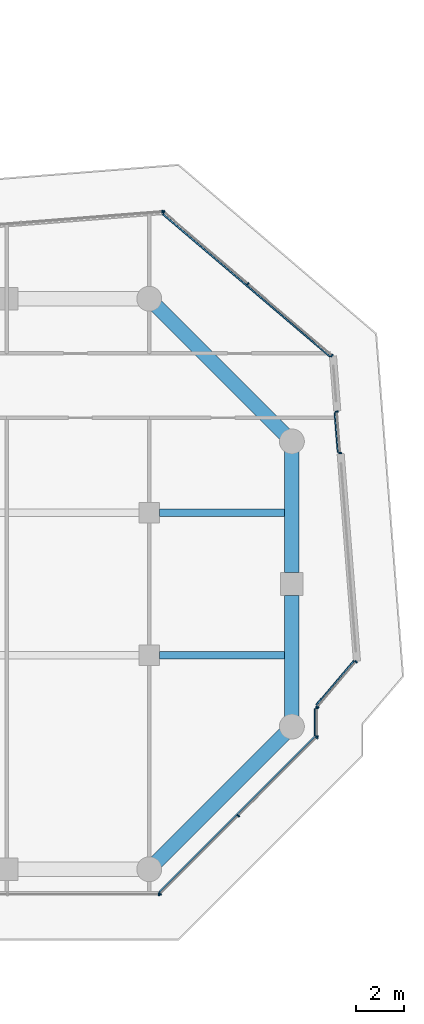
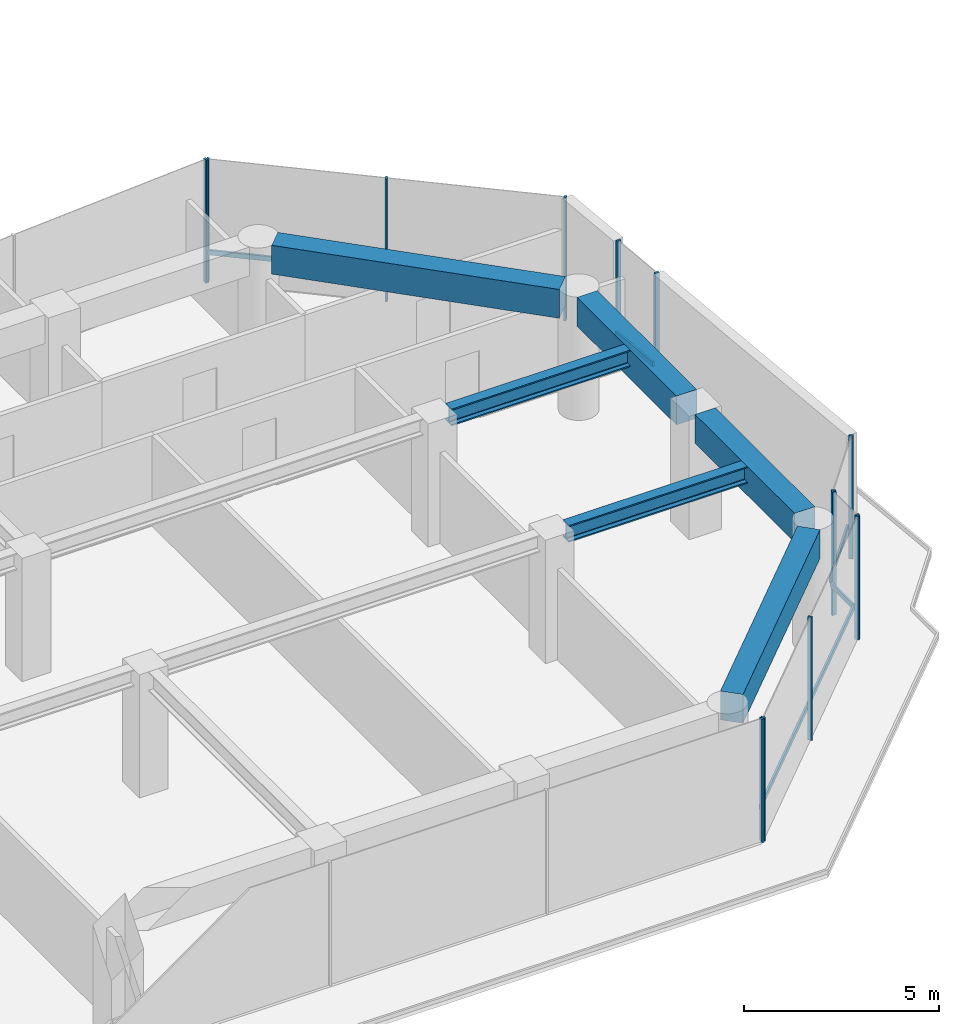
# One storey, part 19 of 28: 19 members, 6 beams, 7 elements without a shape of their own.
"""IFC4 building model written with IfcOpenShell, lengths in metres."""

import ifcopenshell
import ifcopenshell.guid

model = None  # the IFC model being written
_history = None  # IfcOwnerHistory: only IFC2X3 demands one
_inside = {}  # id of a spatial element -> (the spatial element, [elements in it])
_under = {}  # id of a project, library or spatial element -> (it, [spatial elements below it])
_declared = {}  # id of a project -> (the project, [libraries it declares])
_typed = {}  # id of a type object -> (the type object, [elements of that type])
_made_of = {}  # id of a material, layer set ... -> (it, [elements and type objects made of it])


def new_model(schema):
    """Start an empty IFC model of exactly this schema.

    Asked for "IFC4X3", IfcOpenShell would pick the latest addendum, in which some entities
    have other attributes; the version numbers below select the first issue.
    IFC2X3 requires an IfcOwnerHistory on every rooted entity: one is made here for all.
    """
    global model, _history
    if schema == "IFC4X3":
        model = ifcopenshell.file(schema_version=(4, 3, 0, 0))
    else:
        model = ifcopenshell.file(schema=schema)
    _inside.clear()
    _under.clear()
    _declared.clear()
    _typed.clear()
    _made_of.clear()
    _history = None
    if model.schema == "IFC2X3":
        org = make("IfcOrganization", Name="unknown")
        user = make(
            "IfcPersonAndOrganization",
            ThePerson=make("IfcPerson", FamilyName="unknown"),
            TheOrganization=org,
        )
        app = make(
            "IfcApplication",
            ApplicationDeveloper=org,
            Version="unknown",
            ApplicationFullName="unknown",
            ApplicationIdentifier="unknown",
        )
        _history = make(
            "IfcOwnerHistory",
            OwningUser=user,
            OwningApplication=app,
            ChangeAction="ADDED",
            CreationDate=0,
        )
    return model


def make(cls, **values):
    """One entity of the class cls with the attributes given. An attribute that is None is left unset."""
    return model.create_entity(
        cls, **{name: value for name, value in values.items() if value is not None}
    )


def rooted(cls, **values):
    """An entity with a GlobalId (a new one), such as an element, a storey or a relation."""
    return make(cls, GlobalId=ifcopenshell.guid.new(), OwnerHistory=_history, **values)


def si_unit(unit_type, name, prefix=None):
    """IfcSIUnit, for example si_unit("LENGTHUNIT", "METRE", prefix="MILLI")."""
    return make("IfcSIUnit", UnitType=unit_type, Prefix=prefix, Name=name)


def assignment(units):
    """IfcUnitAssignment: the units of a project."""
    return None if units is None else make("IfcUnitAssignment", Units=units)


def point(xyz):
    """IfcCartesianPoint."""
    return None if xyz is None else make("IfcCartesianPoint", Coordinates=xyz)


def direction(xyz):
    """IfcDirection."""
    return None if xyz is None else make("IfcDirection", DirectionRatios=xyz)


def frame(location, z_axis=None, x_axis=None):
    """IfcAxis2Placement3D, a coordinate frame: its origin and axes. An axis left out is left unset."""
    return make(
        "IfcAxis2Placement3D",
        Location=point(location),
        Axis=direction(z_axis),
        RefDirection=direction(x_axis),
    )


def frame_2d(location, x_axis=None):
    """IfcAxis2Placement2D, a coordinate frame in the plane: its origin and x axis."""
    return make(
        "IfcAxis2Placement2D", Location=point(location), RefDirection=direction(x_axis)
    )


def origin():
    """The frame at (0, 0, 0) with its axes left unset."""
    return frame((0.0, 0.0, 0.0))


def origin_2d():
    """The frame at (0, 0) in the plane with its x axis left unset."""
    return frame_2d((0.0, 0.0))


def place(relative_to, where):
    """IfcLocalPlacement: puts the frame where relative to a parent placement (None: the world)."""
    return make(
        "IfcLocalPlacement", PlacementRelTo=relative_to, RelativePlacement=where
    )


def context(
    kind, dimensions, precision=None, world=None, true_north=None, identifier=None
):
    """IfcGeometricRepresentationContext, for example the 3D "Model" context."""
    return make(
        "IfcGeometricRepresentationContext",
        ContextIdentifier=identifier,
        ContextType=kind,
        CoordinateSpaceDimension=dimensions,
        Precision=precision,
        WorldCoordinateSystem=world,
        TrueNorth=true_north,
    )


def subcontext(parent, identifier, kind, view, scale=None):
    """IfcGeometricRepresentationSubContext, for example "Body" below "Model"."""
    return make(
        "IfcGeometricRepresentationSubContext",
        ContextIdentifier=identifier,
        ContextType=kind,
        ParentContext=parent,
        TargetScale=scale,
        TargetView=view,
    )


def project(units=None, contexts=None):
    """IfcProject with its units and contexts."""
    return rooted(
        "IfcProject",
        Name="project",
        RepresentationContexts=contexts,
        UnitsInContext=assignment(units),
    )


def spatial(cls, under=None, at=None, **own):
    """A site, building, storey or space (cls), placed at a placement, below another one or the project."""
    s = rooted(cls, ObjectPlacement=at, **own)
    if under is not None:
        _under.setdefault(under.id(), (under, []))[1].append(s)
    return s


def profile(cls, at=None, kind="AREA", **sizes):
    """A parametric profile (cls). Its sizes go by their IFC names, for example OverallWidth=200.0."""
    return make(cls, ProfileType=kind, Position=at, **sizes)


def rectangle(**sizes):
    """IfcRectangleProfileDef."""
    return profile("IfcRectangleProfileDef", **sizes)


def i_section(**sizes):
    """IfcIShapeProfileDef."""
    return profile("IfcIShapeProfileDef", **sizes)


def extrude(swept, where, along, depth):
    """IfcExtrudedAreaSolid: the profile swept, set in the frame where, extruded along a direction by depth."""
    return make(
        "IfcExtrudedAreaSolid",
        SweptArea=swept,
        Position=where,
        ExtrudedDirection=direction(along),
        Depth=depth,
    )


def shape(context_of_items, identifier, shape_type, items):
    """IfcShapeRepresentation: the items that make up one representation, for example the "Body"."""
    return make(
        "IfcShapeRepresentation",
        ContextOfItems=context_of_items,
        RepresentationIdentifier=identifier,
        RepresentationType=shape_type,
        Items=items,
    )


def material(Name=None, Category=None):
    """IfcMaterial."""
    return make("IfcMaterial", Name=Name, Category=Category)


def layer(
    of_material, thickness, ventilated=None, Name=None, Category=None, Priority=None
):
    """IfcMaterialLayer: one layer of a wall or slab, of a material (None: an air gap)."""
    return make(
        "IfcMaterialLayer",
        Material=of_material,
        LayerThickness=thickness,
        IsVentilated=ventilated,
        Name=Name,
        Category=Category,
        Priority=Priority,
    )


def layer_set(layers, Name=None):
    """IfcMaterialLayerSet."""
    return make("IfcMaterialLayerSet", MaterialLayers=layers, LayerSetName=Name)


def material_profile(
    of_material, cross_section, Name=None, Category=None, Priority=None
):
    """IfcMaterialProfile: a cross section and its material."""
    return make(
        "IfcMaterialProfile",
        Name=Name,
        Material=of_material,
        Profile=cross_section,
        Priority=Priority,
        Category=Category,
    )


def profile_set(profiles, Name=None, composite=None):
    """IfcMaterialProfileSet."""
    return make(
        "IfcMaterialProfileSet",
        Name=Name,
        MaterialProfiles=profiles,
        CompositeProfile=composite,
    )


def made_of(thing, what):
    """Note that an element or type object is made of a material, layer set ...; save() writes the relation."""
    if what is not None:
        _made_of.setdefault(what.id(), (what, []))[1].append(thing)
    return thing


def type_object(cls, material=None, **own):
    """A type object (cls), such as IfcWallType, which elements share."""
    return made_of(rooted(cls, **own), material)


def element(
    cls,
    number,
    at=None,
    inside=None,
    cuts=None,
    type_object=None,
    material=None,
    context=None,
    identifier="Body",
    shape_type=None,
    held_by="IfcProductDefinitionShape",
    body=None,
    shapes=None,
    **own,
):
    """One element of the class cls, such as IfcWall. Its Tag is "e" and its number.

    at: its placement. inside: the storey or other place that contains it. cuts: it is an
    opening in that element (IfcRelVoidsElement). A single representation is given by context,
    identifier, shape_type and body (its items); several are given by shapes. held_by: the class
    of the entity that holds the representations. save() writes the other relations.
    """
    e = rooted(cls, Tag="e%d" % number, ObjectPlacement=at, **own)
    if body is not None:
        shapes = [shape(context, identifier, shape_type, body)]
    if shapes is not None:
        e.Representation = make(held_by, Representations=shapes)
    if inside is not None:
        _inside.setdefault(inside.id(), (inside, []))[1].append(e)
    if cuts is not None:
        rooted(
            "IfcRelVoidsElement", RelatingBuildingElement=cuts, RelatedOpeningElement=e
        )
    if type_object is not None:
        _typed.setdefault(type_object.id(), (type_object, []))[1].append(e)
    return made_of(e, material)


def aggregate(whole, parts):
    """IfcRelAggregates: a whole, such as a stair, and the parts it consists of."""
    return rooted("IfcRelAggregates", RelatingObject=whole, RelatedObjects=parts)


def save(model, path):
    """Write the relations noted so far, then the file.

    IfcRelAggregates (storeys below a building ...), IfcRelContainedInSpatialStructure (elements
    in a storey), IfcRelDefinesByType, IfcRelAssociatesMaterial and IfcRelDeclares: one each for
    every whole, place, type object, material and project.
    """
    for whole, parts in _under.values():
        aggregate(whole, parts)
    for where, things in _inside.values():
        rooted(
            "IfcRelContainedInSpatialStructure",
            RelatedElements=things,
            RelatingStructure=where,
        )
    for kind, things in _typed.values():
        rooted("IfcRelDefinesByType", RelatedObjects=things, RelatingType=kind)
    for what, things in _made_of.values():
        rooted("IfcRelAssociatesMaterial", RelatedObjects=things, RelatingMaterial=what)
    for by, libraries in _declared.values():
        rooted("IfcRelDeclares", RelatingContext=by, RelatedDefinitions=libraries)
    model.write(path)


model = new_model("IFC4")

# Units and contexts
model_context = context("Model", 3, precision=1e-05, world=origin(), true_north=direction((0.0, 1.0)))
body_context = subcontext(model_context, "Body", "Model", "MODEL_VIEW")
ifc_project = project(units=[si_unit("LENGTHUNIT", "METRE"), si_unit("AREAUNIT", "SQUARE_METRE"), si_unit("VOLUMEUNIT", "CUBIC_METRE"), si_unit("PLANEANGLEUNIT", "RADIAN"), si_unit("MASSUNIT", "GRAM", prefix="KILO")], contexts=[model_context])

# Site, building, storey
site_placement = place(None, origin())
site = spatial("IfcSite", under=ifc_project, at=site_placement, CompositionType="ELEMENT")
building_placement = place(site_placement, origin())
building = spatial("IfcBuilding", under=site, at=building_placement, Name="Welwitschia Terrace Campus", CompositionType="ELEMENT")
storey_placement = place(building_placement, frame((0.0, 0.0, 71.0)))
storey = spatial("IfcBuildingStorey", under=building, at=storey_placement, Name="L16", CompositionType="ELEMENT", Elevation=71.0)

# Beams
ifc_material_1 = material(Name="Steel S355", Category="steel")
ifc_material_profile_1 = material_profile(ifc_material_1, i_section(OverallWidth=0.305908203125, OverallDepth=0.52392578125, WebThickness=0.02099609375, FlangeThickness=0.0400390625, FilletRadius=0.027099609375, at=origin_2d()))
ifc_profile_set_1 = profile_set([ifc_material_profile_1], Name="Steel S355")
beam_type_1 = type_object("IfcBeamType", Name="Interior girder HE 500 M", PredefinedType="BEAM", material=ifc_profile_set_1)
for number, where, z_axis, x_axis, name in (
    (1, (60.425537109375, 5.0, 3.587890625), (1.0, 0.0, 0.0), (0.0, 1.0, 0.0), "Girder GB2"),
    (2, (60.425537109375, 11.0, 3.587890625), (1.0, 0.0, 0.0), (0.0, 1.0, 0.0), "Girder GB2"),
):
    element("IfcBeam", number, at=place(storey_placement, frame(where, z_axis=z_axis, x_axis=x_axis)), inside=storey, type_object=beam_type_1, Name=name, PredefinedType="BEAM", context=body_context, shape_type="SweptSolid", body=[
        extrude(i_section(OverallWidth=0.305908203125, OverallDepth=0.52392578125, WebThickness=0.02099609375, FlangeThickness=0.0400390625, FilletRadius=0.027099609375, at=origin_2d()), origin(), (0.0, 0.0, 1.0), 5.58447265625),
    ])

# Curtain wall, member
ifc_material_2 = material(Name="Bronze anodised aluminium", Category="aluminium")
ifc_layer = layer(ifc_material_2, 0.1201171875)
ifc_layer_set = layer_set([ifc_layer], Name="Bronze anodised aluminium")
curtain_wall_type = type_object("IfcCurtainWallType", Name="Curtain wall CW2 tower 6000", PredefinedType="NOTDEFINED", material=ifc_layer_set)
curtain_wall_1_placement = place(storey_placement, origin())
curtain_wall_1 = element("IfcCurtainWall", 3, at=curtain_wall_1_placement, inside=storey, type_object=curtain_wall_type, Name="CW L16.5.0", PredefinedType="NOTDEFINED")
ifc_material_3 = material(Name="Bronze anodised aluminium", Category="aluminium")
ifc_material_profile_2 = material_profile(ifc_material_3, rectangle(XDim=0.1201171875, YDim=0.06005859375, at=origin_2d()))
ifc_profile_set_2 = profile_set([ifc_material_profile_2], Name="Bronze anodised aluminium")
member_type_1 = type_object("IfcMemberType", Name="Mullion 60x120", PredefinedType="MULLION", material=ifc_profile_set_2)
member_1_placement = place(storey_placement, frame((60.408203125, -5.05810546875, 0.0), z_axis=(0.0, 0.0, 1.0), x_axis=(0.0, 1.0, 0.0)))
member_1 = element("IfcMember", 4, at=member_1_placement, type_object=member_type_1, Name="Mullion L16.5.0.5", PredefinedType="MULLION", context=body_context, shape_type="SweptSolid", body=[
    extrude(rectangle(XDim=0.1201171875, YDim=0.06005859375, at=origin_2d()), origin(), (0.0, 0.0, 1.0), 3.85009765625),
])
aggregate(curtain_wall_1, [member_1])

# Curtain wall, members
curtain_wall_2_placement = place(storey_placement, origin())
curtain_wall_2 = element("IfcCurtainWall", 5, at=curtain_wall_2_placement, inside=storey, type_object=curtain_wall_type, Name="CW L16.6.0", PredefinedType="NOTDEFINED")
member_2_placement = place(storey_placement, frame((60.45947265625, -5.036865234375, 0.0), z_axis=(0.0, 0.0, 1.0), x_axis=(-0.707106781187, 0.707106781187, 0.0)))
member_2 = element("IfcMember", 6, at=member_2_placement, type_object=member_type_1, Name="Mullion L16.6.0.0", PredefinedType="MULLION", context=body_context, shape_type="SweptSolid", body=[
    extrude(rectangle(XDim=0.1201171875, YDim=0.06005859375, at=origin_2d()), origin(), (0.0, 0.0, 1.0), 3.85009765625),
])
member_3_placement = place(storey_placement, frame((63.748046875, -1.748046875, 0.0), z_axis=(0.0, 0.0, 1.0), x_axis=(-0.707106781187, 0.707106781187, 0.0)))
member_3 = element("IfcMember", 7, at=member_3_placement, type_object=member_type_1, Name="Mullion L16.6.0.1", PredefinedType="MULLION", context=body_context, shape_type="SweptSolid", body=[
    extrude(rectangle(XDim=0.1201171875, YDim=0.06005859375, at=origin_2d()), origin(), (0.0, 0.0, 1.0), 3.85009765625),
])
member_4_placement = place(storey_placement, frame((67.036865234375, 1.54052734375, 0.0), z_axis=(0.0, 0.0, 1.0), x_axis=(-0.707106781187, 0.707106781187, 0.0)))
member_4 = element("IfcMember", 8, at=member_4_placement, type_object=member_type_1, Name="Mullion L16.6.0.2", PredefinedType="MULLION", context=body_context, shape_type="SweptSolid", body=[
    extrude(rectangle(XDim=0.1201171875, YDim=0.06005859375, at=origin_2d()), origin(), (0.0, 0.0, 1.0), 3.85009765625),
])

curtain_wall_3_placement = place(storey_placement, origin())
curtain_wall_3 = element("IfcCurtainWall", 9, at=curtain_wall_3_placement, inside=storey, type_object=curtain_wall_type, Name="CW L16.7.0", PredefinedType="NOTDEFINED")
member_5_placement = place(storey_placement, frame((67.05810546875, 1.591796875, 0.0), z_axis=(0.0, 0.0, 1.0), x_axis=(-1.0, 0.0, 0.0)))
member_5 = element("IfcMember", 10, at=member_5_placement, type_object=member_type_1, Name="Mullion L16.7.0.0", PredefinedType="MULLION", context=body_context, shape_type="SweptSolid", body=[
    extrude(rectangle(XDim=0.1201171875, YDim=0.06005859375, at=origin_2d()), origin(), (0.0, 0.0, 1.0), 3.85009765625),
])
member_6_placement = place(storey_placement, frame((67.05810546875, 2.77978515625, 0.0), z_axis=(0.0, 0.0, 1.0), x_axis=(-1.0, 0.0, 0.0)))
member_6 = element("IfcMember", 11, at=member_6_placement, type_object=member_type_1, Name="Mullion L16.7.0.1", PredefinedType="MULLION", context=body_context, shape_type="SweptSolid", body=[
    extrude(rectangle(XDim=0.1201171875, YDim=0.06005859375, at=origin_2d()), origin(), (0.0, 0.0, 1.0), 3.85009765625),
])

curtain_wall_4_placement = place(storey_placement, origin())
curtain_wall_4 = element("IfcCurtainWall", 12, at=curtain_wall_4_placement, inside=storey, type_object=curtain_wall_type, Name="CW L16.8.0", PredefinedType="NOTDEFINED")
member_7_placement = place(storey_placement, frame((67.077392578125, 2.83251953125, 0.0), z_axis=(0.0, 0.0, 1.0), x_axis=(-0.7604059656, 0.64944804833, 0.0)))
member_7 = element("IfcMember", 13, at=member_7_placement, type_object=member_type_1, Name="Mullion L16.8.0.0", PredefinedType="MULLION", context=body_context, shape_type="SweptSolid", body=[
    extrude(rectangle(XDim=0.1201171875, YDim=0.06005859375, at=origin_2d()), origin(), (0.0, 0.0, 1.0), 3.85009765625),
])
member_8_placement = place(storey_placement, frame((68.69873046875, 4.73095703125, 0.0), z_axis=(0.0, 0.0, 1.0), x_axis=(-0.7604059656, 0.64944804833, 0.0)))
member_8 = element("IfcMember", 14, at=member_8_placement, type_object=member_type_1, Name="Mullion L16.8.0.1", PredefinedType="MULLION", context=body_context, shape_type="SweptSolid", body=[
    extrude(rectangle(XDim=0.1201171875, YDim=0.06005859375, at=origin_2d()), origin(), (0.0, 0.0, 1.0), 3.85009765625),
])

curtain_wall_5_placement = place(storey_placement, origin())
curtain_wall_5 = element("IfcCurtainWall", 15, at=curtain_wall_5_placement, inside=storey, type_object=curtain_wall_type, Name="CW L16.9.S0", PredefinedType="NOTDEFINED")
member_9_placement = place(storey_placement, frame((68.02880859375, 13.513916015625, 0.0), z_axis=(0.0, 0.0, 1.0), x_axis=(-0.996917333733, -0.078459095728, 0.0)))
member_9 = element("IfcMember", 16, at=member_9_placement, type_object=member_type_1, Name="Mullion L16.9.S0.0", PredefinedType="MULLION", context=body_context, shape_type="SweptSolid", body=[
    extrude(rectangle(XDim=0.1201171875, YDim=0.06005859375, at=origin_2d()), origin(), (0.0, 0.0, 1.0), 3.85009765625),
])
member_10_placement = place(storey_placement, frame((67.892333984375, 15.24853515625, 0.0), z_axis=(0.0, 0.0, 1.0), x_axis=(-0.996917333733, -0.078459095728, 0.0)))
member_10 = element("IfcMember", 17, at=member_10_placement, type_object=member_type_1, Name="Mullion L16.9.S0.1", PredefinedType="MULLION", context=body_context, shape_type="SweptSolid", body=[
    extrude(rectangle(XDim=0.1201171875, YDim=0.06005859375, at=origin_2d()), origin(), (0.0, 0.0, 1.0), 3.85009765625),
])

curtain_wall_6_placement = place(storey_placement, origin())
curtain_wall_6 = element("IfcCurtainWall", 18, at=curtain_wall_6_placement, inside=storey, type_object=curtain_wall_type, Name="CW L16.10.0", PredefinedType="NOTDEFINED")
member_11_placement = place(storey_placement, frame((67.68505859375, 17.60986328125, 0.0), z_axis=(0.0, 0.0, 1.0), x_axis=(-0.64944804833, -0.7604059656, 0.0)))
member_11 = element("IfcMember", 19, at=member_11_placement, type_object=member_type_1, Name="Mullion L16.10.0.0", PredefinedType="MULLION", context=body_context, shape_type="SweptSolid", body=[
    extrude(rectangle(XDim=0.1201171875, YDim=0.06005859375, at=origin_2d()), origin(), (0.0, 0.0, 1.0), 3.85009765625),
])
member_12_placement = place(storey_placement, frame((64.1484375, 20.63037109375, 0.0), z_axis=(0.0, 0.0, 1.0), x_axis=(-0.64944804833, -0.7604059656, 0.0)))
member_12 = element("IfcMember", 20, at=member_12_placement, type_object=member_type_1, Name="Mullion L16.10.0.1", PredefinedType="MULLION", context=body_context, shape_type="SweptSolid", body=[
    extrude(rectangle(XDim=0.1201171875, YDim=0.06005859375, at=origin_2d()), origin(), (0.0, 0.0, 1.0), 3.85009765625),
])
member_13_placement = place(storey_placement, frame((60.612060546875, 23.65087890625, 0.0), z_axis=(0.0, 0.0, 1.0), x_axis=(-0.64944804833, -0.7604059656, 0.0)))
member_13 = element("IfcMember", 21, at=member_13_placement, type_object=member_type_1, Name="Mullion L16.10.0.2", PredefinedType="MULLION", context=body_context, shape_type="SweptSolid", body=[
    extrude(rectangle(XDim=0.1201171875, YDim=0.06005859375, at=origin_2d()), origin(), (0.0, 0.0, 1.0), 3.85009765625),
])

# Curtain wall, member
curtain_wall_7_placement = place(storey_placement, origin())
curtain_wall_7 = element("IfcCurtainWall", 22, at=curtain_wall_7_placement, inside=storey, type_object=curtain_wall_type, Name="CW L16.11.0", PredefinedType="NOTDEFINED")
member_14_placement = place(storey_placement, frame((60.559326171875, 23.66796875, 0.0), z_axis=(0.0, 0.0, 1.0), x_axis=(0.078459095728, -0.996917333733, 0.0)))
member_14 = element("IfcMember", 23, at=member_14_placement, type_object=member_type_1, Name="Mullion L16.11.0.0", PredefinedType="MULLION", context=body_context, shape_type="SweptSolid", body=[
    extrude(rectangle(XDim=0.1201171875, YDim=0.06005859375, at=origin_2d()), origin(), (0.0, 0.0, 1.0), 3.85009765625),
])
aggregate(curtain_wall_7, [member_14])

# Beams
ifc_material_4 = material(Name="Concrete C60/75", Category="concrete")
ifc_material_profile_3 = material_profile(ifc_material_4, rectangle(XDim=0.60009765625, YDim=0.89990234375, at=origin_2d()))
ifc_profile_set_3 = profile_set([ifc_material_profile_3], Name="Concrete C60/75")
beam_type_2 = type_object("IfcBeamType", Name="Ring spandrel 600x900", PredefinedType="SPANDREL", material=ifc_profile_set_3)
beam_1_placement = place(storey_placement, frame((60.30517578125, -3.69482421875, 3.39990234375), z_axis=(0.707106781187, 0.707106781187, 0.0), x_axis=(-0.707106781187, 0.707106781187, 0.0)))
element("IfcBeam", 24, at=beam_1_placement, inside=storey, type_object=beam_type_2, Name="Spandrel SP2", PredefinedType="SPANDREL", context=body_context, shape_type="SweptSolid", body=[
    extrude(rectangle(XDim=0.60009765625, YDim=0.89990234375, at=origin_2d()), origin(), (0.0, 0.0, 1.0), 7.6220703125),
])
for number, where, z_axis, x_axis, name in (
    (25, (66.0, 2.431396484375, 3.39990234375), (0.0, 1.0, 0.0), (-1.0, 0.0, 0.0), "Spandrel SP2"),
    (26, (66.0, 8.4755859375, 3.39990234375), (0.0, 1.0, 0.0), (-1.0, 0.0, 0.0), "Spandrel SP2"),
):
    element("IfcBeam", number, at=place(storey_placement, frame(where, z_axis=z_axis, x_axis=x_axis)), inside=storey, type_object=beam_type_2, Name=name, PredefinedType="SPANDREL", context=body_context, shape_type="SweptSolid", body=[
        extrude(rectangle(XDim=0.60009765625, YDim=0.89990234375, at=origin_2d()), origin(), (0.0, 0.0, 1.0), 5.093017578125),
    ])
beam_2_placement = place(storey_placement, frame((65.69482421875, 14.30517578125, 3.39990234375), z_axis=(-0.707106781187, 0.707106781187, 0.0), x_axis=(-0.707106781187, -0.707106781187, 0.0)))
element("IfcBeam", 27, at=beam_2_placement, inside=storey, type_object=beam_type_2, Name="Spandrel SP2", PredefinedType="SPANDREL", context=body_context, shape_type="SweptSolid", body=[
    extrude(rectangle(XDim=0.60009765625, YDim=0.89990234375, at=origin_2d()), origin(), (0.0, 0.0, 1.0), 7.6220703125),
])

# Member
ifc_material_5 = material(Name="Bronze anodised aluminium", Category="aluminium")
ifc_material_profile_4 = material_profile(ifc_material_5, rectangle(XDim=0.06005859375, YDim=0.14990234375, at=origin_2d()))
ifc_profile_set_4 = profile_set([ifc_material_profile_4], Name="Bronze anodised aluminium")
member_type_2 = type_object("IfcMemberType", Name="Transom 60x150", PredefinedType="USERDEFINED", material=ifc_profile_set_4)
member_15_placement = place(storey_placement, frame((60.4169921875, -4.951904296875, 1.0), z_axis=(0.707106781187, 0.707106781187, 0.0), x_axis=(-0.707106781187, 0.707106781187, 0.0)))
member_15 = element("IfcMember", 28, at=member_15_placement, type_object=member_type_2, Name="Transom L16.6.0", ObjectType="TRANSOM", PredefinedType="USERDEFINED", context=body_context, shape_type="SweptSolid", body=[
    extrude(rectangle(XDim=0.06005859375, YDim=0.14990234375, at=origin_2d()), origin(), (0.0, 0.0, 1.0), 9.24169921875),
])

aggregate(curtain_wall_2, [member_2, member_3, member_4, member_15])

member_16_placement = place(storey_placement, frame((66.968017578125, 1.621826171875, 1.0), z_axis=(0.0, 1.0, 0.0), x_axis=(-1.0, 0.0, 0.0)))
member_16 = element("IfcMember", 29, at=member_16_placement, type_object=member_type_2, Name="Transom L16.7.0", ObjectType="TRANSOM", PredefinedType="USERDEFINED", context=body_context, shape_type="SweptSolid", body=[
    extrude(rectangle(XDim=0.06005859375, YDim=0.14990234375, at=origin_2d()), origin(), (0.0, 0.0, 1.0), 1.1279296875),
])

aggregate(curtain_wall_3, [member_5, member_6, member_16])

member_17_placement = place(storey_placement, frame((67.028564453125, 2.913818359375, 1.0), z_axis=(0.649412222778, 0.760436562053, 0.0), x_axis=(-0.760436562053, 0.649412222778, 0.0)))
member_17 = element("IfcMember", 30, at=member_17_placement, type_object=member_type_2, Name="Transom L16.8.0", ObjectType="TRANSOM", PredefinedType="USERDEFINED", context=body_context, shape_type="SweptSolid", body=[
    extrude(rectangle(XDim=0.06005859375, YDim=0.14990234375, at=origin_2d()), origin(), (0.0, 0.0, 1.0), 2.4365234375),
])

aggregate(curtain_wall_4, [member_7, member_8, member_17])

member_18_placement = place(storey_placement, frame((67.936767578125, 13.536865234375, 1.0), z_axis=(-0.078474447191, 0.996916125428, 0.0), x_axis=(-0.996916125428, -0.078474447191, 0.0)))
member_18 = element("IfcMember", 31, at=member_18_placement, type_object=member_type_2, Name="Transom L16.9.S0", ObjectType="TRANSOM", PredefinedType="USERDEFINED", context=body_context, shape_type="SweptSolid", body=[
    extrude(rectangle(XDim=0.06005859375, YDim=0.14990234375, at=origin_2d()), origin(), (0.0, 0.0, 1.0), 1.679931640625),
])

aggregate(curtain_wall_5, [member_9, member_10, member_18])

member_19_placement = place(storey_placement, frame((67.603759765625, 17.56103515625, 1.0), z_axis=(-0.760404118916, 0.649450210514, 0.0), x_axis=(-0.649450210514, -0.760404118916, 0.0)))
member_19 = element("IfcMember", 32, at=member_19_placement, type_object=member_type_2, Name="Transom L16.10.0", ObjectType="TRANSOM", PredefinedType="USERDEFINED", context=body_context, shape_type="SweptSolid", body=[
    extrude(rectangle(XDim=0.06005859375, YDim=0.14990234375, at=origin_2d()), origin(), (0.0, 0.0, 1.0), 9.24169921875),
])

aggregate(curtain_wall_6, [member_11, member_12, member_13, member_19])

save(model, "model.ifc")
